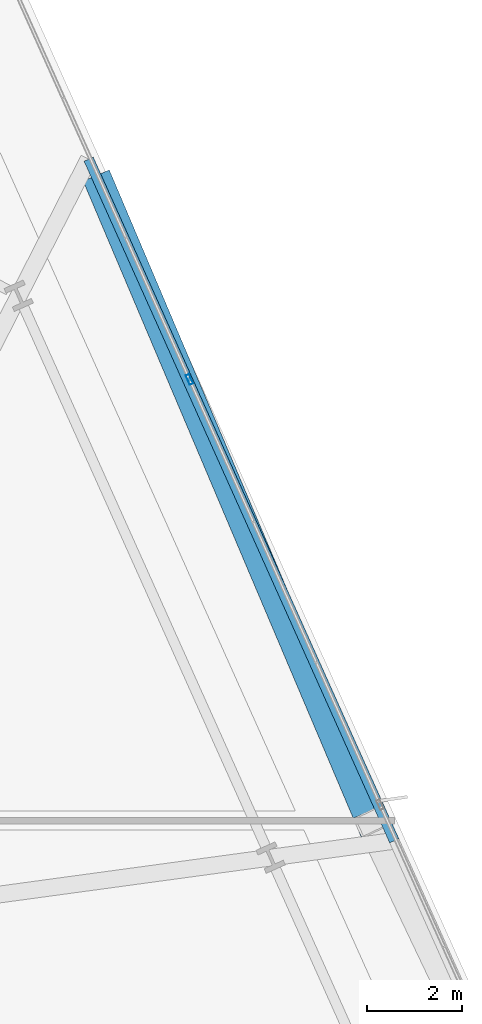
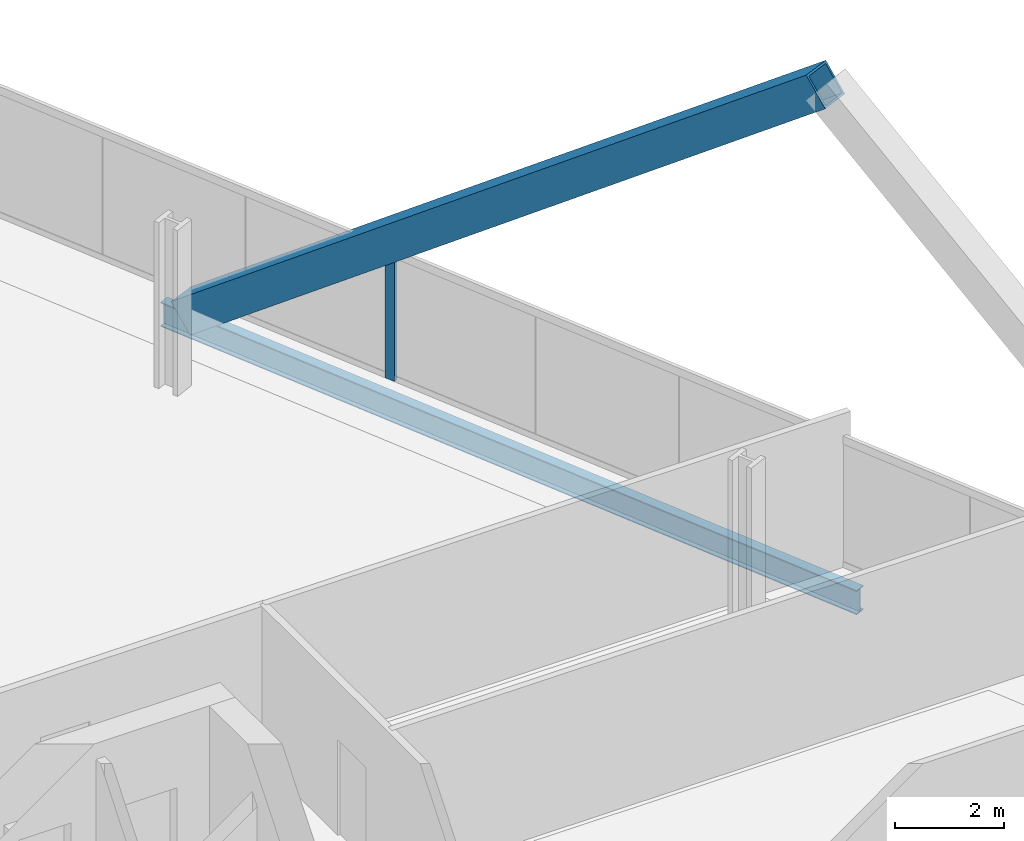
# One storey, part 24 of 38: 2 members, 1 beam, 1 element without a shape of its own.
"""IFC4 building model written with IfcOpenShell, lengths in metres."""

from ifc_helpers import new_model, si_unit, direction, frame, origin, origin_2d, place, context, subcontext, project, spatial, hollow_rectangle, i_section, extrude, material, material_profile, profile_set, type_object, element, aggregate, save


model = new_model("IFC4")

# Units and contexts
model_context = context("Model", 3, precision=1e-05, world=origin(), true_north=direction((0.0, 1.0)))
body_context = subcontext(model_context, "Body", "Model", "MODEL_VIEW")
ifc_project = project(units=[si_unit("LENGTHUNIT", "METRE"), si_unit("AREAUNIT", "SQUARE_METRE"), si_unit("VOLUMEUNIT", "CUBIC_METRE"), si_unit("PLANEANGLEUNIT", "RADIAN"), si_unit("MASSUNIT", "GRAM", prefix="KILO")], contexts=[model_context])

# Site, building, storey
site_placement = place(None, origin())
site = spatial("IfcSite", under=ifc_project, at=site_placement, CompositionType="ELEMENT")
building_placement = place(site_placement, origin())
building = spatial("IfcBuilding", under=site, at=building_placement, Name="Haldenkirk Collegiate Tower", CompositionType="ELEMENT")
storey_placement = place(building_placement, frame((0.0, 0.0, 109.199951171875)))
storey = spatial("IfcBuildingStorey", under=building, at=storey_placement, Name="L26", CompositionType="ELEMENT", Elevation=109.199951171875)

# Beam
ifc_material_1 = material(Name="Steel ASTM A992 Grade 50", Category="steel")
ifc_material_profile_1 = material_profile(ifc_material_1, i_section(OverallWidth=0.2119140625, OverallDepth=0.5439453125, WebThickness=0.01318359375, FlangeThickness=0.021240234375, at=origin_2d()), Name="W21X83")
ifc_profile_set_1 = profile_set([ifc_material_profile_1], Name="Steel ASTM A992 Grade 50")
beam_type = type_object("IfcBeamType", Name="BM-SPANDREL-W21X83", PredefinedType="SPANDREL", material=ifc_profile_set_1)
beam_placement = place(storey_placement, frame((59.868408203125, 36.022705078125, -0.572021484375), z_axis=(-0.409127377941, 0.912477281152, 0.0), x_axis=(-0.912477281152, -0.409127377941, 0.0)))
element("IfcBeam", 1, at=beam_placement, inside=storey, type_object=beam_type, Name="L26 outer facade edge beam 2B", PredefinedType="SPANDREL", context=body_context, shape_type="SweptSolid", body=[
    extrude(i_section(OverallWidth=0.2119140625, OverallDepth=0.5439453125, WebThickness=0.01318359375, FlangeThickness=0.021240234375, at=origin_2d()), origin(), (0.0, 0.0, 1.0), 15.790283203125),
])

# Curtain wall, member
ifc_material_2 = material(Name="Anodised architectural bronze aluminium", Category="aluminium")
curtain_wall_type = type_object("IfcCurtainWallType", Name="CW-SYS1-CONVEX-LOW", PredefinedType="USERDEFINED", material=ifc_material_2)
curtain_wall_placement = place(storey_placement, origin())
curtain_wall = element("IfcCurtainWall", 2, at=curtain_wall_placement, inside=storey, type_object=curtain_wall_type, Name="L26 Lower tower convex bronze-framed unitised curtain wall", ObjectType="UNITISED CURTAIN WALL", PredefinedType="USERDEFINED")
ifc_material_profile_2 = material_profile(ifc_material_2, hollow_rectangle(XDim=0.080078125, YDim=0.219970703125, WallThickness=0.0048828125, at=origin_2d()), Name="CW-MUL-1A")
ifc_profile_set_2 = profile_set([ifc_material_profile_2], Name="Anodised architectural bronze aluminium")
member_type_1 = type_object("IfcMemberType", Name="CW-MUL-1A", PredefinedType="MULLION", material=ifc_profile_set_2)
member_1_placement = place(storey_placement, frame((55.539794921875, 45.77490234375, 0.0), z_axis=(0.0, 0.0, 1.0), x_axis=(0.912476490018, 0.409129142403, 0.0)))
member_1 = element("IfcMember", 3, at=member_1_placement, type_object=member_type_1, Name="CW-1A mullion 2", PredefinedType="MULLION", context=body_context, shape_type="SweptSolid", body=[
    extrude(hollow_rectangle(XDim=0.080078125, YDim=0.219970703125, WallThickness=0.0048828125, at=origin_2d()), origin(), (0.0, 0.0, 1.0), 2.901123046875),
])
aggregate(curtain_wall, [member_1])

# Member
ifc_material_3 = material(Name="Steel ASTM A572 Grade 50", Category="steel")
ifc_material_profile_3 = material_profile(ifc_material_3, hollow_rectangle(XDim=0.60009765625, YDim=0.719970703125, WallThickness=0.044921875, at=origin_2d()), Name="BOX720X600X45")
ifc_profile_set_3 = profile_set([ifc_material_profile_3], Name="Steel ASTM A572 Grade 50")
member_type_2 = type_object("IfcMemberType", Name="MBR-MEGABRACE-BOX720X600X45", PredefinedType="BRACE", material=ifc_profile_set_3)
member_2_placement = place(storey_placement, frame((53.65380859375, 49.883544921875, -0.31005859375), z_axis=(0.309372410359, -0.729811421171, 0.609642519217), x_axis=(0.920692667731, 0.390288369781, 0.0)))
element("IfcMember", 4, at=member_2_placement, inside=storey, type_object=member_type_2, Name="Perimeter Mega Brace Z2 L26-L28 ER", PredefinedType="BRACE", context=body_context, shape_type="SweptSolid", body=[
    extrude(hollow_rectangle(XDim=0.60009765625, YDim=0.719970703125, WallThickness=0.044921875, at=origin_2d()), origin(), (0.0, 0.0, 1.0), 18.453369140625),
])

save(model, "model.ifc")
